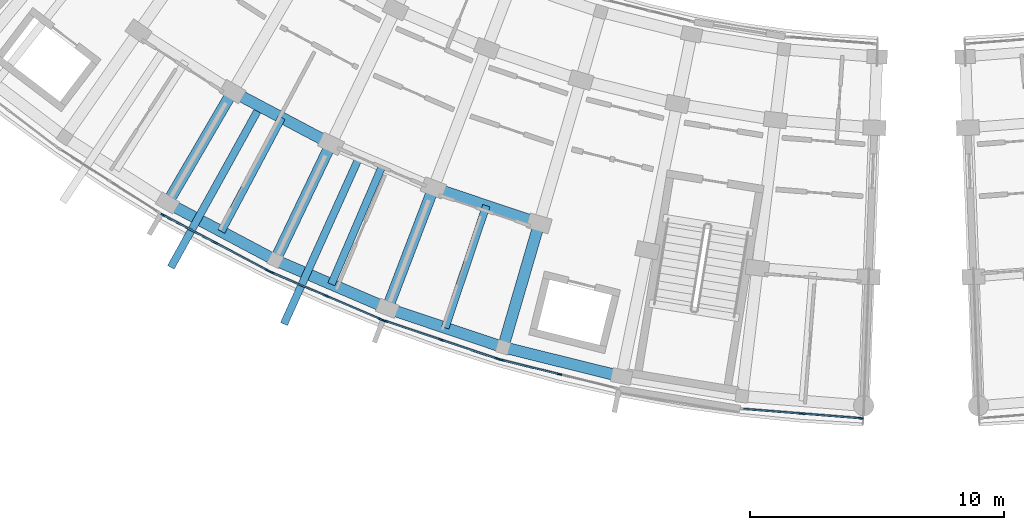
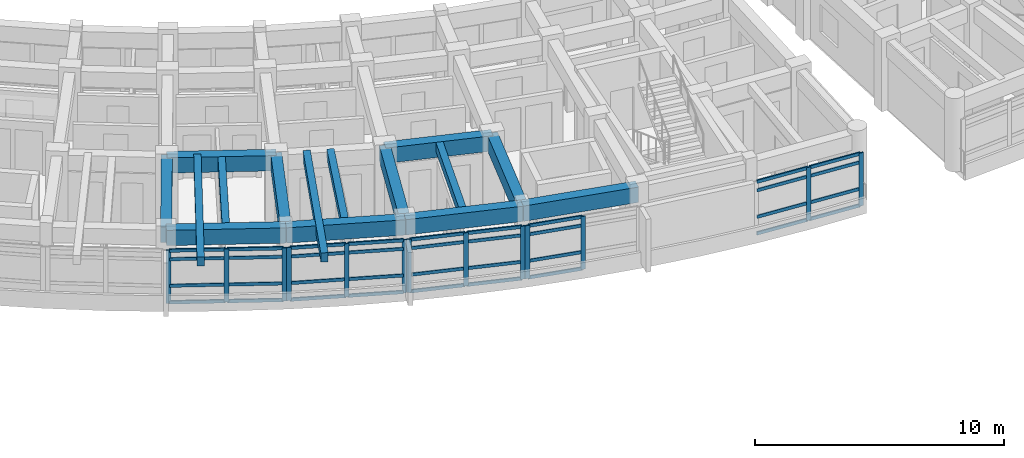
# One storey, part 20 of 83: 49 members, 15 beams, 5 elements without a shape of their own.
"""IFC4 building model written with IfcOpenShell, lengths in metres."""

from ifc_helpers import new_model, si_unit, direction, frame, origin, origin_2d, place, context, subcontext, project, spatial, rectangle, extrude, material, material_profile, profile_set, type_object, element, aggregate, save


model = new_model("IFC4")

# Units and contexts
model_context = context("Model", 3, precision=1e-05, world=origin(), true_north=direction((0.0, 1.0)))
body_context = subcontext(model_context, "Body", "Model", "MODEL_VIEW")
ifc_project = project(units=[si_unit("LENGTHUNIT", "METRE"), si_unit("AREAUNIT", "SQUARE_METRE"), si_unit("VOLUMEUNIT", "CUBIC_METRE"), si_unit("PLANEANGLEUNIT", "RADIAN"), si_unit("MASSUNIT", "GRAM", prefix="KILO")], contexts=[model_context])

# Site, building, storey
site_placement = place(None, origin())
site = spatial("IfcSite", under=ifc_project, at=site_placement, CompositionType="ELEMENT")
building_placement = place(site_placement, origin())
building = spatial("IfcBuilding", under=site, at=building_placement, Name="Zimvara Arc Housing Community", CompositionType="ELEMENT")
storey_placement = place(building_placement, frame((0.0, 0.0, 4.5)))
storey = spatial("IfcBuildingStorey", under=building, at=storey_placement, Name="L01", CompositionType="ELEMENT", Elevation=4.5)

# Beams
ifc_material_1 = material(Name="Concrete C40/50", Category="concrete")
ifc_material_profile_1 = material_profile(ifc_material_1, rectangle(XDim=0.300048828125, YDim=0.449951171875, at=origin_2d()), Name="RC 300x450")
ifc_profile_set_1 = profile_set([ifc_material_profile_1], Name="Concrete C40/50")
beam_type_1 = type_object("IfcBeamType", Name="BM-RC-300x450", PredefinedType="JOIST", material=ifc_profile_set_1)
for number, where, z_axis, x_axis, name in (
    (1, (100.793212890625, 62.37060546875, 3.135009765625), (-0.46853732736, -0.883443701019, 0.0), (0.883443701019, -0.46853732736, 0.0), "bm:blkC:L01:joist:b4"),
    (2, (104.751953125, 60.473876953125, 3.135009765625), (-0.394946561353, -0.918704094731, 0.0), (0.918704094731, -0.394946561353, 0.0), "bm:blkC:L01:joist:b5"),
    (3, (108.85205078125, 58.906494140625, 3.135009765625), (-0.318622196545, -0.947881794249, 0.0), (0.947881794249, -0.318622196545, 0.0), "bm:blkC:L01:joist:b6"),
):
    element("IfcBeam", number, at=place(storey_placement, frame(where, z_axis=z_axis, x_axis=x_axis)), inside=storey, type_object=beam_type_1, Name=name, PredefinedType="JOIST", context=body_context, shape_type="SweptSolid", body=[
        extrude(rectangle(XDim=0.300048828125, YDim=0.449951171875, at=origin_2d()), origin(), (0.0, 0.0, 1.0), 5.07568359375),
    ])
for number, where, z_axis, x_axis, name in (
    (4, (99.922119140625, 62.791748046875, 3.1650390625), (-0.4843274379, -0.874886811477, 0.0), (0.874886811477, -0.4843274379, 0.0), "bm:blkC:L01:cant_out:b4"),
    (5, (103.849365234375, 60.822509765625, 3.1650390625), (-0.411355676266, -0.91147490783, 0.0), (0.91147490783, -0.411355676266, 0.0), "bm:blkC:L01:cant_out:b5"),
):
    element("IfcBeam", number, at=place(storey_placement, frame(where, z_axis=z_axis, x_axis=x_axis)), inside=storey, type_object=beam_type_1, Name=name, PredefinedType="JOIST", context=body_context, shape_type="SweptSolid", body=[
        extrude(rectangle(XDim=0.300048828125, YDim=0.449951171875, at=origin_2d()), origin(), (0.0, 0.0, 1.0), 7.219970703125),
    ])
ifc_material_2 = material(Name="Concrete C40/50", Category="concrete")
ifc_material_profile_2 = material_profile(ifc_material_2, rectangle(XDim=0.449951171875, YDim=0.75, at=origin_2d()), Name="RC 450x750")
ifc_profile_set_2 = profile_set([ifc_material_profile_2], Name="Concrete C40/50")
beam_type_2 = type_object("IfcBeamType", Name="BM-RC-450x750", PredefinedType="BEAM", material=ifc_profile_set_2)
beam_1_placement = place(storey_placement, frame((98.8525390625, 63.39990234375, 2.985107421875), z_axis=(0.883433524437, -0.468556515162, 0.0), x_axis=(0.468556515162, 0.883433524437, 0.0)))
element("IfcBeam", 6, at=beam_1_placement, inside=storey, type_object=beam_type_2, Name="bm:blkC:L01:chord:r2:b4", PredefinedType="BEAM", context=body_context, shape_type="SweptSolid", body=[
    extrude(rectangle(XDim=0.449951171875, YDim=0.75, at=origin_2d()), origin(), (0.0, 0.0, 1.0), 4.3935546875),
])
beam_2_placement = place(storey_placement, frame((106.77001953125, 59.6064453125, 2.985107421875), z_axis=(0.947891222174, -0.318594147665, 0.0), x_axis=(0.318594147665, 0.947891222174, 0.0)))
element("IfcBeam", 7, at=beam_2_placement, inside=storey, type_object=beam_type_2, Name="bm:blkC:L01:chord:r2:b6", PredefinedType="BEAM", context=body_context, shape_type="SweptSolid", body=[
    extrude(rectangle(XDim=0.449951171875, YDim=0.75, at=origin_2d()), origin(), (0.0, 0.0, 1.0), 4.393310546875),
])
for number, where, z_axis, x_axis, name in (
    (8, (96.291259765625, 59.012939453125, 2.985107421875), (0.883424523434, -0.468573485587, 0.0), (0.468573485587, 0.883424523434, 0.0), "bm:blkC:L01:chord:r3:b4"),
    (9, (100.538818359375, 56.760009765625, 2.985107421875), (0.918724276228, -0.394899612901, 0.0), (0.394899612901, 0.918724276228, 0.0), "bm:blkC:L01:chord:r3:b5"),
):
    element("IfcBeam", number, at=place(storey_placement, frame(where, z_axis=z_axis, x_axis=x_axis)), inside=storey, type_object=beam_type_2, Name=name, PredefinedType="BEAM", context=body_context, shape_type="SweptSolid", body=[
        extrude(rectangle(XDim=0.449951171875, YDim=0.75, at=origin_2d()), origin(), (0.0, 0.0, 1.0), 4.80810546875),
    ])
beam_3_placement = place(storey_placement, frame((104.9560546875, 54.861328125, 2.985107421875), z_axis=(0.947877948153, -0.31863363822, 0.0), x_axis=(0.31863363822, 0.947877948153, 0.0)))
element("IfcBeam", 10, at=beam_3_placement, inside=storey, type_object=beam_type_2, Name="bm:blkC:L01:chord:r3:b6", PredefinedType="BEAM", context=body_context, shape_type="SweptSolid", body=[
    extrude(rectangle(XDim=0.449951171875, YDim=0.75, at=origin_2d()), origin(), (0.0, 0.0, 1.0), 4.807861328125),
])
beam_4_placement = place(storey_placement, frame((109.513427734375, 53.329345703125, 2.985107421875), z_axis=(0.970719165502, -0.240217196986, 0.0), x_axis=(0.240217196986, 0.970719165502, 0.0)))
element("IfcBeam", 11, at=beam_4_placement, inside=storey, type_object=beam_type_2, Name="bm:blkC:L01:chord:r3:b7", PredefinedType="BEAM", context=body_context, shape_type="SweptSolid", body=[
    extrude(rectangle(XDim=0.449951171875, YDim=0.75, at=origin_2d()), origin(), (0.0, 0.0, 1.0), 4.808349609375),
])
beam_5_placement = place(storey_placement, frame((98.8525390625, 63.39990234375, 2.985107421875), z_axis=(-0.504196701544, -0.863588840915, 0.0), x_axis=(0.863588840915, -0.504196701544, 0.0)))
element("IfcBeam", 12, at=beam_5_placement, inside=storey, type_object=beam_type_2, Name="bm:blkC:L01:rad:b4:r23", PredefinedType="BEAM", context=body_context, shape_type="SweptSolid", body=[
    extrude(rectangle(XDim=0.449951171875, YDim=0.75, at=origin_2d()), origin(), (0.0, 0.0, 1.0), 5.079833984375),
])
for number, where, z_axis, x_axis, name in (
    (13, (102.73388671875, 61.34130859375, 2.985107421875), (-0.432098194978, -0.901826563091, 0.0), (0.901826563091, -0.432098194978, 0.0), "bm:blkC:L01:rad:b5:r23"),
    (14, (106.77001953125, 59.6064453125, 2.985107421875), (-0.357078271386, -0.934074466038, 0.0), (0.934074466038, -0.357078271386, 0.0), "bm:blkC:L01:rad:b6:r23"),
    (15, (110.934326171875, 58.206787109375, 2.985107421875), (-0.279693649113, -0.960089299308, 0.0), (0.960089299308, -0.279693649113, 0.0), "bm:blkC:L01:rad:b7:r23"),
):
    element("IfcBeam", number, at=place(storey_placement, frame(where, z_axis=z_axis, x_axis=x_axis)), inside=storey, type_object=beam_type_2, Name=name, PredefinedType="BEAM", context=body_context, shape_type="SweptSolid", body=[
        extrude(rectangle(XDim=0.449951171875, YDim=0.75, at=origin_2d()), origin(), (0.0, 0.0, 1.0), 5.080078125),
    ])

# Curtain wall, members
ifc_material_3 = material(Name="Anodised Aluminium AW-6063", Category="aluminium")
curtain_wall_type_1 = type_object("IfcCurtainWallType", Name="CW-SYS-03", PredefinedType="USERDEFINED", material=ifc_material_3)
curtain_wall_1_placement = place(storey_placement, origin())
curtain_wall_1 = element("IfcCurtainWall", 16, at=curtain_wall_1_placement, inside=storey, type_object=curtain_wall_type_1, Name="cw:blkC:L01:out:b4", ObjectType="CURTAIN WALL", PredefinedType="USERDEFINED")
ifc_material_4 = material(Name="Anodised Aluminium AW-6063", Category="aluminium")
ifc_material_profile_3 = material_profile(ifc_material_4, rectangle(XDim=0.06494140625, YDim=0.195068359375, at=origin_2d()), Name="ALU 65x195")
ifc_profile_set_3 = profile_set([ifc_material_profile_3], Name="Anodised Aluminium AW-6063")
member_type_1 = type_object("IfcMemberType", Name="CWM-65x180", PredefinedType="MULLION", material=ifc_profile_set_3)
member_1_placement = place(storey_placement, frame((96.120849609375, 58.537841796875, 0.0), z_axis=(0.0, 0.0, 1.0), x_axis=(0.468546917761, 0.883438614651, 0.0)))
member_1 = element("IfcMember", 17, at=member_1_placement, type_object=member_type_1, Name="CW03 mullion 1", PredefinedType="MULLION", context=body_context, shape_type="SweptSolid", body=[
    extrude(rectangle(XDim=0.06494140625, YDim=0.195068359375, at=origin_2d()), origin(), (0.0, 0.0, 1.0), 2.60009765625),
])
member_2_placement = place(storey_placement, frame((98.180908203125, 57.445068359375, 0.0), z_axis=(0.0, 0.0, 1.0), x_axis=(0.468546917761, 0.883438614651, 0.0)))
member_2 = element("IfcMember", 18, at=member_2_placement, type_object=member_type_1, Name="CW03 mullion 2", PredefinedType="MULLION", context=body_context, shape_type="SweptSolid", body=[
    extrude(rectangle(XDim=0.06494140625, YDim=0.195068359375, at=origin_2d()), origin(), (0.0, 0.0, 1.0), 2.60009765625),
])
member_3_placement = place(storey_placement, frame((100.240966796875, 56.3525390625, 0.0), z_axis=(0.0, 0.0, 1.0), x_axis=(0.468546917761, 0.883438614651, 0.0)))
member_3 = element("IfcMember", 19, at=member_3_placement, type_object=member_type_1, Name="CW03 mullion 3", PredefinedType="MULLION", context=body_context, shape_type="SweptSolid", body=[
    extrude(rectangle(XDim=0.06494140625, YDim=0.195068359375, at=origin_2d()), origin(), (0.0, 0.0, 1.0), 2.60009765625),
])

ifc_material_5 = material(Name="Anodised Aluminium AW-6063", Category="aluminium")
curtain_wall_type_2 = type_object("IfcCurtainWallType", Name="CW-SYS-05", PredefinedType="USERDEFINED", material=ifc_material_5)
curtain_wall_2_placement = place(storey_placement, origin())
curtain_wall_2 = element("IfcCurtainWall", 20, at=curtain_wall_2_placement, inside=storey, type_object=curtain_wall_type_2, Name="cw:blkC:L01:out:b5", ObjectType="CURTAIN WALL", PredefinedType="USERDEFINED")
member_4_placement = place(storey_placement, frame((100.40771484375, 56.272705078125, 0.0), z_axis=(0.0, 0.0, 1.0), x_axis=(0.394904211998, 0.918722299363, 0.0)))
member_4 = element("IfcMember", 21, at=member_4_placement, type_object=member_type_1, Name="CW05 mullion 1", PredefinedType="MULLION", context=body_context, shape_type="SweptSolid", body=[
    extrude(rectangle(XDim=0.06494140625, YDim=0.195068359375, at=origin_2d()), origin(), (0.0, 0.0, 1.0), 2.60009765625),
])
member_5_placement = place(storey_placement, frame((102.550048828125, 55.351806640625, 0.0), z_axis=(0.0, 0.0, 1.0), x_axis=(0.394904211998, 0.918722299363, 0.0)))
member_5 = element("IfcMember", 22, at=member_5_placement, type_object=member_type_1, Name="CW05 mullion 2", PredefinedType="MULLION", context=body_context, shape_type="SweptSolid", body=[
    extrude(rectangle(XDim=0.06494140625, YDim=0.195068359375, at=origin_2d()), origin(), (0.0, 0.0, 1.0), 2.60009765625),
])
member_6_placement = place(storey_placement, frame((104.692626953125, 54.430908203125, 0.0), z_axis=(0.0, 0.0, 1.0), x_axis=(0.394904211998, 0.918722299363, 0.0)))
member_6 = element("IfcMember", 23, at=member_6_placement, type_object=member_type_1, Name="CW05 mullion 3", PredefinedType="MULLION", context=body_context, shape_type="SweptSolid", body=[
    extrude(rectangle(XDim=0.06494140625, YDim=0.195068359375, at=origin_2d()), origin(), (0.0, 0.0, 1.0), 2.60009765625),
])

ifc_material_6 = material(Name="Anodised Aluminium AW-6063", Category="aluminium")
curtain_wall_type_3 = type_object("IfcCurtainWallType", Name="CW-SYS-07", PredefinedType="USERDEFINED", material=ifc_material_6)
curtain_wall_3_placement = place(storey_placement, origin())
curtain_wall_3 = element("IfcCurtainWall", 24, at=curtain_wall_3_placement, inside=storey, type_object=curtain_wall_type_3, Name="cw:blkC:L01:out:b6", ObjectType="CURTAIN WALL", PredefinedType="USERDEFINED")
member_7_placement = place(storey_placement, frame((104.865234375, 54.36474609375, 0.0), z_axis=(0.0, 0.0, 1.0), x_axis=(0.318628583921, 0.947879647164, 0.0)))
member_7 = element("IfcMember", 25, at=member_7_placement, type_object=member_type_1, Name="CW07 mullion 1", PredefinedType="MULLION", context=body_context, shape_type="SweptSolid", body=[
    extrude(rectangle(XDim=0.06494140625, YDim=0.195068359375, at=origin_2d()), origin(), (0.0, 0.0, 1.0), 2.60009765625),
])
member_8_placement = place(storey_placement, frame((107.07568359375, 53.621826171875, 0.0), z_axis=(0.0, 0.0, 1.0), x_axis=(0.318628583921, 0.947879647164, 0.0)))
member_8 = element("IfcMember", 26, at=member_8_placement, type_object=member_type_1, Name="CW07 mullion 2", PredefinedType="MULLION", context=body_context, shape_type="SweptSolid", body=[
    extrude(rectangle(XDim=0.06494140625, YDim=0.195068359375, at=origin_2d()), origin(), (0.0, 0.0, 1.0), 2.60009765625),
])
member_9_placement = place(storey_placement, frame((109.2861328125, 52.87890625, 0.0), z_axis=(0.0, 0.0, 1.0), x_axis=(0.318628583921, 0.947879647164, 0.0)))
member_9 = element("IfcMember", 27, at=member_9_placement, type_object=member_type_1, Name="CW07 mullion 3", PredefinedType="MULLION", context=body_context, shape_type="SweptSolid", body=[
    extrude(rectangle(XDim=0.06494140625, YDim=0.195068359375, at=origin_2d()), origin(), (0.0, 0.0, 1.0), 2.60009765625),
])

ifc_material_7 = material(Name="Anodised Aluminium AW-6063", Category="aluminium")
curtain_wall_type_4 = type_object("IfcCurtainWallType", Name="CW-SYS-01", PredefinedType="USERDEFINED", material=ifc_material_7)
curtain_wall_4_placement = place(storey_placement, origin())
curtain_wall_4 = element("IfcCurtainWall", 28, at=curtain_wall_4_placement, inside=storey, type_object=curtain_wall_type_4, Name="cw:blkC:L01:out:b7", ObjectType="CURTAIN WALL", PredefinedType="USERDEFINED")
member_10_placement = place(storey_placement, frame((109.46337890625, 52.8271484375, 0.0), z_axis=(0.0, 0.0, 1.0), x_axis=(0.240229711131, 0.970716068627, 0.0)))
member_10 = element("IfcMember", 29, at=member_10_placement, type_object=member_type_1, Name="CW01 mullion 1", PredefinedType="MULLION", context=body_context, shape_type="SweptSolid", body=[
    extrude(rectangle(XDim=0.06494140625, YDim=0.195068359375, at=origin_2d()), origin(), (0.0, 0.0, 1.0), 2.60009765625),
])
member_11_placement = place(storey_placement, frame((111.72705078125, 52.266845703125, 0.0), z_axis=(0.0, 0.0, 1.0), x_axis=(0.240229711131, 0.970716068627, 0.0)))
member_11 = element("IfcMember", 30, at=member_11_placement, type_object=member_type_1, Name="CW01 mullion 2", PredefinedType="MULLION", context=body_context, shape_type="SweptSolid", body=[
    extrude(rectangle(XDim=0.06494140625, YDim=0.195068359375, at=origin_2d()), origin(), (0.0, 0.0, 1.0), 2.60009765625),
])

curtain_wall_5_placement = place(storey_placement, origin())
curtain_wall_5 = element("IfcCurtainWall", 31, at=curtain_wall_5_placement, inside=storey, type_object=curtain_wall_type_1, Name="cw:blkC:L01:out:b9", ObjectType="CURTAIN WALL", PredefinedType="USERDEFINED")
member_12_placement = place(storey_placement, frame((121.28369140625, 50.715576171875, 0.0), z_axis=(0.0, 0.0, 1.0), x_axis=(0.079153759607, 0.996862418963, 0.0)))
member_12 = element("IfcMember", 32, at=member_12_placement, type_object=member_type_1, Name="CW03 mullion 2", PredefinedType="MULLION", context=body_context, shape_type="SweptSolid", body=[
    extrude(rectangle(XDim=0.06494140625, YDim=0.195068359375, at=origin_2d()), origin(), (0.0, 0.0, 1.0), 2.60009765625),
])
member_13_placement = place(storey_placement, frame((123.6083984375, 50.531005859375, 0.0), z_axis=(0.0, 0.0, 1.0), x_axis=(0.079153759607, 0.996862418963, 0.0)))
member_13 = element("IfcMember", 33, at=member_13_placement, type_object=member_type_1, Name="CW03 mullion 3", PredefinedType="MULLION", context=body_context, shape_type="SweptSolid", body=[
    extrude(rectangle(XDim=0.06494140625, YDim=0.195068359375, at=origin_2d()), origin(), (0.0, 0.0, 1.0), 2.60009765625),
])

# Member
ifc_material_8 = material(Name="Anodised Aluminium AW-6063", Category="aluminium")
ifc_material_profile_4 = material_profile(ifc_material_8, rectangle(XDim=0.06494140625, YDim=0.155029296875, at=origin_2d()), Name="ALU 65x155")
ifc_profile_set_4 = profile_set([ifc_material_profile_4], Name="Anodised Aluminium AW-6063")
member_type_2 = type_object("IfcMemberType", Name="CWT-65x140", PredefinedType="USERDEFINED", material=ifc_profile_set_4)
member_14_placement = place(storey_placement, frame((96.1494140625, 58.5224609375, 0.032470703125), z_axis=(0.883465479137, -0.468496261642, 0.0), x_axis=(0.468496261642, 0.883465479137, 0.0)))
member_14 = element("IfcMember", 34, at=member_14_placement, type_object=member_type_2, Name="CW03 transom 1.1", ObjectType="TRANSOM", PredefinedType="USERDEFINED", context=body_context, shape_type="SweptSolid", body=[
    extrude(rectangle(XDim=0.06494140625, YDim=0.155029296875, at=origin_2d()), origin(), (0.0, 0.0, 1.0), 2.266845703125),
])

member_15_placement = place(storey_placement, frame((96.1494140625, 58.5224609375, 0.85009765625), z_axis=(0.883465479137, -0.468496261642, 0.0), x_axis=(0.468496261642, 0.883465479137, 0.0)))
member_15 = element("IfcMember", 35, at=member_15_placement, type_object=member_type_2, Name="CW03 transom 1.2", ObjectType="TRANSOM", PredefinedType="USERDEFINED", context=body_context, shape_type="SweptSolid", body=[
    extrude(rectangle(XDim=0.06494140625, YDim=0.155029296875, at=origin_2d()), origin(), (0.0, 0.0, 1.0), 2.266845703125),
])

member_16_placement = place(storey_placement, frame((96.1494140625, 58.5224609375, 2.14990234375), z_axis=(0.883465479137, -0.468496261642, 0.0), x_axis=(0.468496261642, 0.883465479137, 0.0)))
member_16 = element("IfcMember", 36, at=member_16_placement, type_object=member_type_2, Name="CW03 transom 1.3", ObjectType="TRANSOM", PredefinedType="USERDEFINED", context=body_context, shape_type="SweptSolid", body=[
    extrude(rectangle(XDim=0.06494140625, YDim=0.155029296875, at=origin_2d()), origin(), (0.0, 0.0, 1.0), 2.266845703125),
])

member_17_placement = place(storey_placement, frame((96.1494140625, 58.5224609375, 2.5673828125), z_axis=(0.883465479137, -0.468496261642, 0.0), x_axis=(0.468496261642, 0.883465479137, 0.0)))
member_17 = element("IfcMember", 37, at=member_17_placement, type_object=member_type_2, Name="CW03 transom 1.4", ObjectType="TRANSOM", PredefinedType="USERDEFINED", context=body_context, shape_type="SweptSolid", body=[
    extrude(rectangle(XDim=0.06494140625, YDim=0.155029296875, at=origin_2d()), origin(), (0.0, 0.0, 1.0), 2.266845703125),
])

member_18_placement = place(storey_placement, frame((98.209716796875, 57.429931640625, 0.032470703125), z_axis=(0.883420900208, -0.468580316568, 0.0), x_axis=(0.468580316568, 0.883420900208, 0.0)))
member_18 = element("IfcMember", 38, at=member_18_placement, type_object=member_type_2, Name="CW03 transom 2.1", ObjectType="TRANSOM", PredefinedType="USERDEFINED", context=body_context, shape_type="SweptSolid", body=[
    extrude(rectangle(XDim=0.06494140625, YDim=0.155029296875, at=origin_2d()), origin(), (0.0, 0.0, 1.0), 2.266845703125),
])

member_19_placement = place(storey_placement, frame((98.209716796875, 57.429931640625, 0.85009765625), z_axis=(0.883420900208, -0.468580316568, 0.0), x_axis=(0.468580316568, 0.883420900208, 0.0)))
member_19 = element("IfcMember", 39, at=member_19_placement, type_object=member_type_2, Name="CW03 transom 2.2", ObjectType="TRANSOM", PredefinedType="USERDEFINED", context=body_context, shape_type="SweptSolid", body=[
    extrude(rectangle(XDim=0.06494140625, YDim=0.155029296875, at=origin_2d()), origin(), (0.0, 0.0, 1.0), 2.266845703125),
])

member_20_placement = place(storey_placement, frame((98.209716796875, 57.429931640625, 2.14990234375), z_axis=(0.883420900208, -0.468580316568, 0.0), x_axis=(0.468580316568, 0.883420900208, 0.0)))
member_20 = element("IfcMember", 40, at=member_20_placement, type_object=member_type_2, Name="CW03 transom 2.3", ObjectType="TRANSOM", PredefinedType="USERDEFINED", context=body_context, shape_type="SweptSolid", body=[
    extrude(rectangle(XDim=0.06494140625, YDim=0.155029296875, at=origin_2d()), origin(), (0.0, 0.0, 1.0), 2.266845703125),
])

member_21_placement = place(storey_placement, frame((98.209716796875, 57.429931640625, 2.5673828125), z_axis=(0.883420900208, -0.468580316568, 0.0), x_axis=(0.468580316568, 0.883420900208, 0.0)))
member_21 = element("IfcMember", 41, at=member_21_placement, type_object=member_type_2, Name="CW03 transom 2.4", ObjectType="TRANSOM", PredefinedType="USERDEFINED", context=body_context, shape_type="SweptSolid", body=[
    extrude(rectangle(XDim=0.06494140625, YDim=0.155029296875, at=origin_2d()), origin(), (0.0, 0.0, 1.0), 2.266845703125),
])

aggregate(curtain_wall_1, [member_1, member_2, member_3, member_14, member_15, member_16, member_17, member_18, member_19, member_20, member_21])

member_22_placement = place(storey_placement, frame((100.4375, 56.259765625, 0.032470703125), z_axis=(0.918721157939, -0.394906867444, 0.0), x_axis=(0.394906867444, 0.918721157939, 0.0)))
member_22 = element("IfcMember", 42, at=member_22_placement, type_object=member_type_2, Name="CW05 transom 1.1", ObjectType="TRANSOM", PredefinedType="USERDEFINED", context=body_context, shape_type="SweptSolid", body=[
    extrude(rectangle(XDim=0.06494140625, YDim=0.155029296875, at=origin_2d()), origin(), (0.0, 0.0, 1.0), 2.26708984375),
])

member_23_placement = place(storey_placement, frame((100.4375, 56.259765625, 0.85009765625), z_axis=(0.918721157939, -0.394906867444, 0.0), x_axis=(0.394906867444, 0.918721157939, 0.0)))
member_23 = element("IfcMember", 43, at=member_23_placement, type_object=member_type_2, Name="CW05 transom 1.2", ObjectType="TRANSOM", PredefinedType="USERDEFINED", context=body_context, shape_type="SweptSolid", body=[
    extrude(rectangle(XDim=0.06494140625, YDim=0.155029296875, at=origin_2d()), origin(), (0.0, 0.0, 1.0), 2.26708984375),
])

member_24_placement = place(storey_placement, frame((100.4375, 56.259765625, 2.14990234375), z_axis=(0.918721157939, -0.394906867444, 0.0), x_axis=(0.394906867444, 0.918721157939, 0.0)))
member_24 = element("IfcMember", 44, at=member_24_placement, type_object=member_type_2, Name="CW05 transom 1.3", ObjectType="TRANSOM", PredefinedType="USERDEFINED", context=body_context, shape_type="SweptSolid", body=[
    extrude(rectangle(XDim=0.06494140625, YDim=0.155029296875, at=origin_2d()), origin(), (0.0, 0.0, 1.0), 2.26708984375),
])

member_25_placement = place(storey_placement, frame((100.4375, 56.259765625, 2.5673828125), z_axis=(0.918721157939, -0.394906867444, 0.0), x_axis=(0.394906867444, 0.918721157939, 0.0)))
member_25 = element("IfcMember", 45, at=member_25_placement, type_object=member_type_2, Name="CW05 transom 1.4", ObjectType="TRANSOM", PredefinedType="USERDEFINED", context=body_context, shape_type="SweptSolid", body=[
    extrude(rectangle(XDim=0.06494140625, YDim=0.155029296875, at=origin_2d()), origin(), (0.0, 0.0, 1.0), 2.26708984375),
])

member_26_placement = place(storey_placement, frame((102.580078125, 55.3388671875, 0.032470703125), z_axis=(0.918704360712, -0.394945942641, 0.0), x_axis=(0.394945942641, 0.918704360712, 0.0)))
member_26 = element("IfcMember", 46, at=member_26_placement, type_object=member_type_2, Name="CW05 transom 2.1", ObjectType="TRANSOM", PredefinedType="USERDEFINED", context=body_context, shape_type="SweptSolid", body=[
    extrude(rectangle(XDim=0.06494140625, YDim=0.155029296875, at=origin_2d()), origin(), (0.0, 0.0, 1.0), 2.266845703125),
])

member_27_placement = place(storey_placement, frame((102.580078125, 55.3388671875, 0.85009765625), z_axis=(0.918704360712, -0.394945942641, 0.0), x_axis=(0.394945942641, 0.918704360712, 0.0)))
member_27 = element("IfcMember", 47, at=member_27_placement, type_object=member_type_2, Name="CW05 transom 2.2", ObjectType="TRANSOM", PredefinedType="USERDEFINED", context=body_context, shape_type="SweptSolid", body=[
    extrude(rectangle(XDim=0.06494140625, YDim=0.155029296875, at=origin_2d()), origin(), (0.0, 0.0, 1.0), 2.266845703125),
])

member_28_placement = place(storey_placement, frame((102.580078125, 55.3388671875, 2.14990234375), z_axis=(0.918704360712, -0.394945942641, 0.0), x_axis=(0.394945942641, 0.918704360712, 0.0)))
member_28 = element("IfcMember", 48, at=member_28_placement, type_object=member_type_2, Name="CW05 transom 2.3", ObjectType="TRANSOM", PredefinedType="USERDEFINED", context=body_context, shape_type="SweptSolid", body=[
    extrude(rectangle(XDim=0.06494140625, YDim=0.155029296875, at=origin_2d()), origin(), (0.0, 0.0, 1.0), 2.266845703125),
])

member_29_placement = place(storey_placement, frame((102.580078125, 55.3388671875, 2.5673828125), z_axis=(0.918704360712, -0.394945942641, 0.0), x_axis=(0.394945942641, 0.918704360712, 0.0)))
member_29 = element("IfcMember", 49, at=member_29_placement, type_object=member_type_2, Name="CW05 transom 2.4", ObjectType="TRANSOM", PredefinedType="USERDEFINED", context=body_context, shape_type="SweptSolid", body=[
    extrude(rectangle(XDim=0.06494140625, YDim=0.155029296875, at=origin_2d()), origin(), (0.0, 0.0, 1.0), 2.266845703125),
])

aggregate(curtain_wall_2, [member_4, member_5, member_6, member_22, member_23, member_24, member_25, member_26, member_27, member_28, member_29])

member_30_placement = place(storey_placement, frame((104.89599609375, 54.3544921875, 0.032470703125), z_axis=(0.947872541471, -0.318649721678, 0.0), x_axis=(0.318649721678, 0.947872541471, 0.0)))
member_30 = element("IfcMember", 50, at=member_30_placement, type_object=member_type_2, Name="CW07 transom 1.1", ObjectType="TRANSOM", PredefinedType="USERDEFINED", context=body_context, shape_type="SweptSolid", body=[
    extrude(rectangle(XDim=0.06494140625, YDim=0.155029296875, at=origin_2d()), origin(), (0.0, 0.0, 1.0), 2.26708984375),
])

member_31_placement = place(storey_placement, frame((104.89599609375, 54.3544921875, 0.85009765625), z_axis=(0.947872541471, -0.318649721678, 0.0), x_axis=(0.318649721678, 0.947872541471, 0.0)))
member_31 = element("IfcMember", 51, at=member_31_placement, type_object=member_type_2, Name="CW07 transom 1.2", ObjectType="TRANSOM", PredefinedType="USERDEFINED", context=body_context, shape_type="SweptSolid", body=[
    extrude(rectangle(XDim=0.06494140625, YDim=0.155029296875, at=origin_2d()), origin(), (0.0, 0.0, 1.0), 2.26708984375),
])

member_32_placement = place(storey_placement, frame((104.89599609375, 54.3544921875, 2.14990234375), z_axis=(0.947872541471, -0.318649721678, 0.0), x_axis=(0.318649721678, 0.947872541471, 0.0)))
member_32 = element("IfcMember", 52, at=member_32_placement, type_object=member_type_2, Name="CW07 transom 1.3", ObjectType="TRANSOM", PredefinedType="USERDEFINED", context=body_context, shape_type="SweptSolid", body=[
    extrude(rectangle(XDim=0.06494140625, YDim=0.155029296875, at=origin_2d()), origin(), (0.0, 0.0, 1.0), 2.26708984375),
])

member_33_placement = place(storey_placement, frame((104.89599609375, 54.3544921875, 2.5673828125), z_axis=(0.947872541471, -0.318649721678, 0.0), x_axis=(0.318649721678, 0.947872541471, 0.0)))
member_33 = element("IfcMember", 53, at=member_33_placement, type_object=member_type_2, Name="CW07 transom 1.4", ObjectType="TRANSOM", PredefinedType="USERDEFINED", context=body_context, shape_type="SweptSolid", body=[
    extrude(rectangle(XDim=0.06494140625, YDim=0.155029296875, at=origin_2d()), origin(), (0.0, 0.0, 1.0), 2.26708984375),
])

member_34_placement = place(storey_placement, frame((107.1064453125, 53.611572265625, 0.032470703125), z_axis=(0.947861605379, -0.318682250916, 0.0), x_axis=(0.318682250916, 0.947861605379, 0.0)))
member_34 = element("IfcMember", 54, at=member_34_placement, type_object=member_type_2, Name="CW07 transom 2.1", ObjectType="TRANSOM", PredefinedType="USERDEFINED", context=body_context, shape_type="SweptSolid", body=[
    extrude(rectangle(XDim=0.06494140625, YDim=0.155029296875, at=origin_2d()), origin(), (0.0, 0.0, 1.0), 2.266845703125),
])

member_35_placement = place(storey_placement, frame((107.1064453125, 53.611572265625, 0.85009765625), z_axis=(0.947861605379, -0.318682250916, 0.0), x_axis=(0.318682250916, 0.947861605379, 0.0)))
member_35 = element("IfcMember", 55, at=member_35_placement, type_object=member_type_2, Name="CW07 transom 2.2", ObjectType="TRANSOM", PredefinedType="USERDEFINED", context=body_context, shape_type="SweptSolid", body=[
    extrude(rectangle(XDim=0.06494140625, YDim=0.155029296875, at=origin_2d()), origin(), (0.0, 0.0, 1.0), 2.266845703125),
])

member_36_placement = place(storey_placement, frame((107.1064453125, 53.611572265625, 2.14990234375), z_axis=(0.947861605379, -0.318682250916, 0.0), x_axis=(0.318682250916, 0.947861605379, 0.0)))
member_36 = element("IfcMember", 56, at=member_36_placement, type_object=member_type_2, Name="CW07 transom 2.3", ObjectType="TRANSOM", PredefinedType="USERDEFINED", context=body_context, shape_type="SweptSolid", body=[
    extrude(rectangle(XDim=0.06494140625, YDim=0.155029296875, at=origin_2d()), origin(), (0.0, 0.0, 1.0), 2.266845703125),
])

member_37_placement = place(storey_placement, frame((107.1064453125, 53.611572265625, 2.5673828125), z_axis=(0.947861605379, -0.318682250916, 0.0), x_axis=(0.318682250916, 0.947861605379, 0.0)))
member_37 = element("IfcMember", 57, at=member_37_placement, type_object=member_type_2, Name="CW07 transom 2.4", ObjectType="TRANSOM", PredefinedType="USERDEFINED", context=body_context, shape_type="SweptSolid", body=[
    extrude(rectangle(XDim=0.06494140625, YDim=0.155029296875, at=origin_2d()), origin(), (0.0, 0.0, 1.0), 2.266845703125),
])

aggregate(curtain_wall_3, [member_7, member_8, member_9, member_30, member_31, member_32, member_33, member_34, member_35, member_36, member_37])

member_38_placement = place(storey_placement, frame((109.4951171875, 52.8193359375, 0.032470703125), z_axis=(0.970703721793, -0.240279596507, 0.0), x_axis=(0.240279596507, 0.970703721793, 0.0)))
member_38 = element("IfcMember", 58, at=member_38_placement, type_object=member_type_2, Name="CW01 transom 1.1", ObjectType="TRANSOM", PredefinedType="USERDEFINED", context=body_context, shape_type="SweptSolid", body=[
    extrude(rectangle(XDim=0.06494140625, YDim=0.155029296875, at=origin_2d()), origin(), (0.0, 0.0, 1.0), 2.266845703125),
])

member_39_placement = place(storey_placement, frame((109.4951171875, 52.8193359375, 0.85009765625), z_axis=(0.970703721793, -0.240279596507, 0.0), x_axis=(0.240279596507, 0.970703721793, 0.0)))
member_39 = element("IfcMember", 59, at=member_39_placement, type_object=member_type_2, Name="CW01 transom 1.2", ObjectType="TRANSOM", PredefinedType="USERDEFINED", context=body_context, shape_type="SweptSolid", body=[
    extrude(rectangle(XDim=0.06494140625, YDim=0.155029296875, at=origin_2d()), origin(), (0.0, 0.0, 1.0), 2.266845703125),
])

member_40_placement = place(storey_placement, frame((109.4951171875, 52.8193359375, 2.14990234375), z_axis=(0.970703721793, -0.240279596507, 0.0), x_axis=(0.240279596507, 0.970703721793, 0.0)))
member_40 = element("IfcMember", 60, at=member_40_placement, type_object=member_type_2, Name="CW01 transom 1.3", ObjectType="TRANSOM", PredefinedType="USERDEFINED", context=body_context, shape_type="SweptSolid", body=[
    extrude(rectangle(XDim=0.06494140625, YDim=0.155029296875, at=origin_2d()), origin(), (0.0, 0.0, 1.0), 2.266845703125),
])

member_41_placement = place(storey_placement, frame((109.4951171875, 52.8193359375, 2.5673828125), z_axis=(0.970703721793, -0.240279596507, 0.0), x_axis=(0.240279596507, 0.970703721793, 0.0)))
member_41 = element("IfcMember", 61, at=member_41_placement, type_object=member_type_2, Name="CW01 transom 1.4", ObjectType="TRANSOM", PredefinedType="USERDEFINED", context=body_context, shape_type="SweptSolid", body=[
    extrude(rectangle(XDim=0.06494140625, YDim=0.155029296875, at=origin_2d()), origin(), (0.0, 0.0, 1.0), 2.266845703125),
])

aggregate(curtain_wall_4, [member_10, member_11, member_38, member_39, member_40, member_41])

member_42_placement = place(storey_placement, frame((118.991455078125, 50.897705078125, 0.032470703125), z_axis=(0.996862021022, -0.079158771116, 0.0), x_axis=(0.079158771116, 0.996862021022, 0.0)))
member_42 = element("IfcMember", 62, at=member_42_placement, type_object=member_type_2, Name="CW03 transom 1.1", ObjectType="TRANSOM", PredefinedType="USERDEFINED", context=body_context, shape_type="SweptSolid", body=[
    extrude(rectangle(XDim=0.06494140625, YDim=0.155029296875, at=origin_2d()), origin(), (0.0, 0.0, 1.0), 2.266845703125),
])

member_43_placement = place(storey_placement, frame((118.991455078125, 50.897705078125, 0.85009765625), z_axis=(0.996862021022, -0.079158771116, 0.0), x_axis=(0.079158771116, 0.996862021022, 0.0)))
member_43 = element("IfcMember", 63, at=member_43_placement, type_object=member_type_2, Name="CW03 transom 1.2", ObjectType="TRANSOM", PredefinedType="USERDEFINED", context=body_context, shape_type="SweptSolid", body=[
    extrude(rectangle(XDim=0.06494140625, YDim=0.155029296875, at=origin_2d()), origin(), (0.0, 0.0, 1.0), 2.266845703125),
])

member_44_placement = place(storey_placement, frame((118.991455078125, 50.897705078125, 2.14990234375), z_axis=(0.996862021022, -0.079158771116, 0.0), x_axis=(0.079158771116, 0.996862021022, 0.0)))
member_44 = element("IfcMember", 64, at=member_44_placement, type_object=member_type_2, Name="CW03 transom 1.3", ObjectType="TRANSOM", PredefinedType="USERDEFINED", context=body_context, shape_type="SweptSolid", body=[
    extrude(rectangle(XDim=0.06494140625, YDim=0.155029296875, at=origin_2d()), origin(), (0.0, 0.0, 1.0), 2.266845703125),
])

member_45_placement = place(storey_placement, frame((118.991455078125, 50.897705078125, 2.5673828125), z_axis=(0.996862021022, -0.079158771116, 0.0), x_axis=(0.079158771116, 0.996862021022, 0.0)))
member_45 = element("IfcMember", 65, at=member_45_placement, type_object=member_type_2, Name="CW03 transom 1.4", ObjectType="TRANSOM", PredefinedType="USERDEFINED", context=body_context, shape_type="SweptSolid", body=[
    extrude(rectangle(XDim=0.06494140625, YDim=0.155029296875, at=origin_2d()), origin(), (0.0, 0.0, 1.0), 2.266845703125),
])

member_46_placement = place(storey_placement, frame((121.316162109375, 50.713134765625, 0.032470703125), z_axis=(0.996862021022, -0.079158771116, 0.0), x_axis=(0.079158771116, 0.996862021022, 0.0)))
member_46 = element("IfcMember", 66, at=member_46_placement, type_object=member_type_2, Name="CW03 transom 2.1", ObjectType="TRANSOM", PredefinedType="USERDEFINED", context=body_context, shape_type="SweptSolid", body=[
    extrude(rectangle(XDim=0.06494140625, YDim=0.155029296875, at=origin_2d()), origin(), (0.0, 0.0, 1.0), 2.266845703125),
])

member_47_placement = place(storey_placement, frame((121.316162109375, 50.713134765625, 0.85009765625), z_axis=(0.996862021022, -0.079158771116, 0.0), x_axis=(0.079158771116, 0.996862021022, 0.0)))
member_47 = element("IfcMember", 67, at=member_47_placement, type_object=member_type_2, Name="CW03 transom 2.2", ObjectType="TRANSOM", PredefinedType="USERDEFINED", context=body_context, shape_type="SweptSolid", body=[
    extrude(rectangle(XDim=0.06494140625, YDim=0.155029296875, at=origin_2d()), origin(), (0.0, 0.0, 1.0), 2.266845703125),
])

member_48_placement = place(storey_placement, frame((121.316162109375, 50.713134765625, 2.14990234375), z_axis=(0.996862021022, -0.079158771116, 0.0), x_axis=(0.079158771116, 0.996862021022, 0.0)))
member_48 = element("IfcMember", 68, at=member_48_placement, type_object=member_type_2, Name="CW03 transom 2.3", ObjectType="TRANSOM", PredefinedType="USERDEFINED", context=body_context, shape_type="SweptSolid", body=[
    extrude(rectangle(XDim=0.06494140625, YDim=0.155029296875, at=origin_2d()), origin(), (0.0, 0.0, 1.0), 2.266845703125),
])

member_49_placement = place(storey_placement, frame((121.316162109375, 50.713134765625, 2.5673828125), z_axis=(0.996862021022, -0.079158771116, 0.0), x_axis=(0.079158771116, 0.996862021022, 0.0)))
member_49 = element("IfcMember", 69, at=member_49_placement, type_object=member_type_2, Name="CW03 transom 2.4", ObjectType="TRANSOM", PredefinedType="USERDEFINED", context=body_context, shape_type="SweptSolid", body=[
    extrude(rectangle(XDim=0.06494140625, YDim=0.155029296875, at=origin_2d()), origin(), (0.0, 0.0, 1.0), 2.266845703125),
])

aggregate(curtain_wall_5, [member_12, member_13, member_42, member_43, member_44, member_45, member_46, member_47, member_48, member_49])

save(model, "model.ifc")
